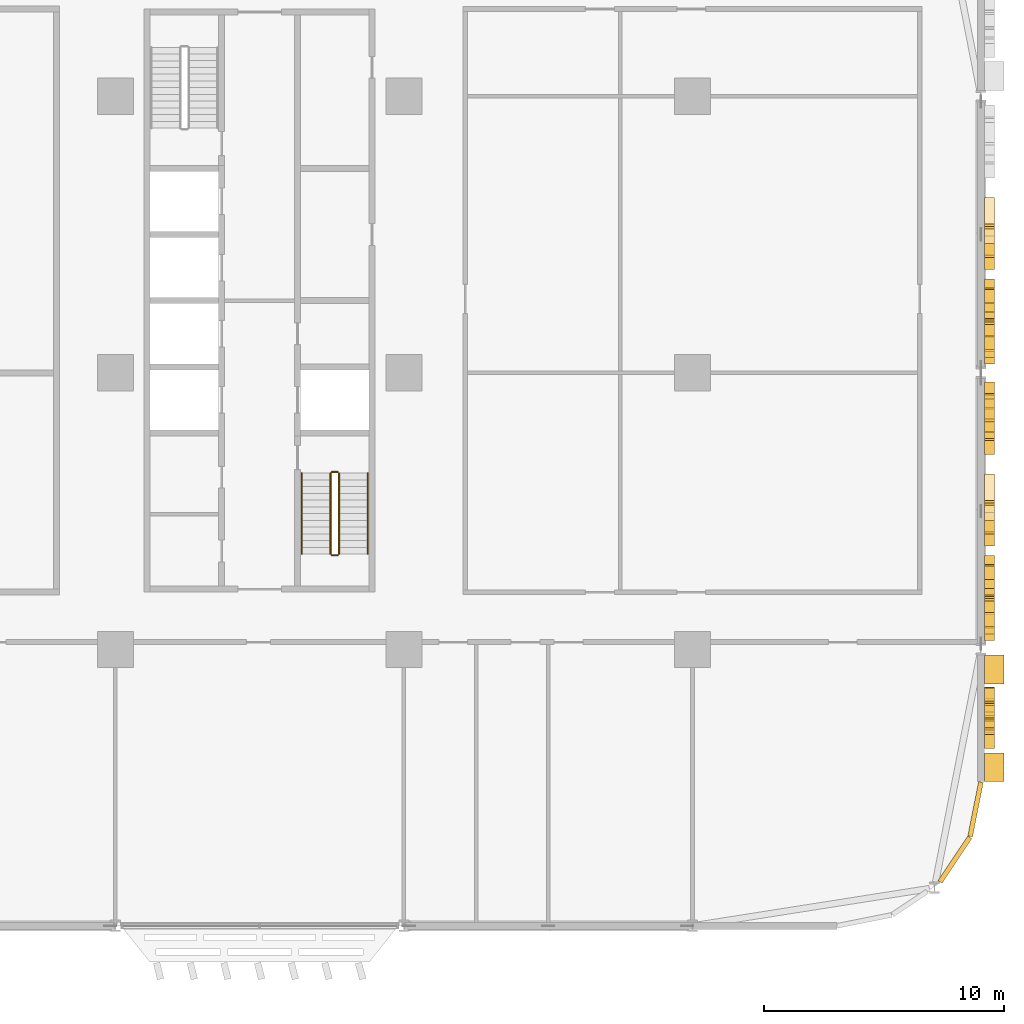
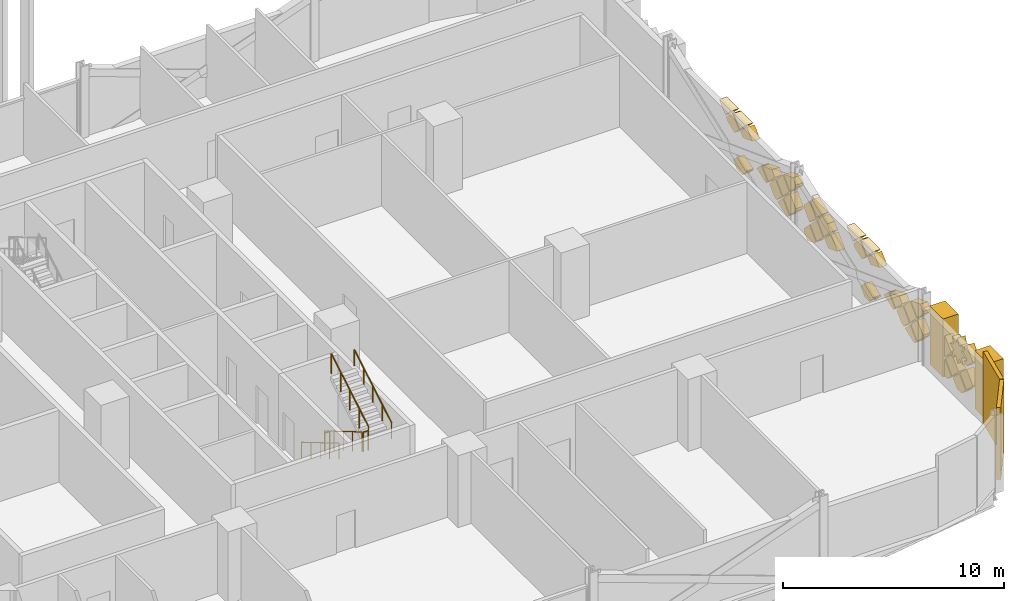
# One storey, part 28 of 29: 41 coverings, 6 railings.
"""IFC4 building model written with IfcOpenShell, lengths in metres."""

from ifc_helpers import new_model, si_unit, direction, frame, origin, origin_2d, place, context, subcontext, project, spatial, polyline, rectangle, circle, outline, extrude, material, layer, layer_set, type_object, element, save


model = new_model("IFC4")

# Units and contexts
model_context = context("Model", 3, precision=1e-05, world=origin(), true_north=direction((0.0, 1.0)))
body_context = subcontext(model_context, "Body", "Model", "MODEL_VIEW")
ifc_project = project(units=[si_unit("LENGTHUNIT", "METRE"), si_unit("AREAUNIT", "SQUARE_METRE"), si_unit("VOLUMEUNIT", "CUBIC_METRE"), si_unit("PLANEANGLEUNIT", "RADIAN"), si_unit("MASSUNIT", "GRAM", prefix="KILO")], contexts=[model_context])

# Site, building, storey
site_placement = place(None, origin())
site = spatial("IfcSite", under=ifc_project, at=site_placement, CompositionType="ELEMENT")
building_placement = place(site_placement, origin())
building = spatial("IfcBuilding", under=site, at=building_placement, Name="Mahtab Terrace Research Tower", CompositionType="ELEMENT")
storey_placement = place(building_placement, frame((0.0, 0.0, 63.199951171875)))
storey = spatial("IfcBuildingStorey", under=building, at=storey_placement, Name="L14", CompositionType="ELEMENT", Elevation=63.199951171875)

# Coverings
ifc_material_1 = material(Name="Black aluminium cladding panel", Category="aluminium")
ifc_layer_1 = layer(ifc_material_1, 0.199951171875)
ifc_layer_set_1 = layer_set([ifc_layer_1], Name="Black metal corner cladding 200")
covering_type_1 = type_object("IfcCoveringType", Name="Black metal corner cladding 200", PredefinedType="CLADDING", material=ifc_layer_set_1)
covering_1_placement = place(storey_placement, frame((52.911376953125, -20.2421875, 0.0), z_axis=(0.0, 0.0, 1.0), x_axis=(0.555291490808, 0.831655794326, 0.0)))
element("IfcCovering", 1, at=covering_1_placement, inside=storey, type_object=covering_type_1, Name="Corner cladding L14 33", PredefinedType="CLADDING", context=body_context, shape_type="SweptSolid", body=[
    extrude(rectangle(XDim=2.235595703125, YDim=0.199951171875, at=origin_2d()), origin(), (0.0, 0.0, 1.0), 3.9599609375),
])
covering_2_placement = place(storey_placement, frame((53.771484375, -18.14794921875, 0.0), z_axis=(0.0, 0.0, 1.0), x_axis=(0.195212442692, 0.980760981187, 0.0)))
element("IfcCovering", 2, at=covering_2_placement, inside=storey, type_object=covering_type_1, Name="Corner cladding L14 34", PredefinedType="CLADDING", context=body_context, shape_type="SweptSolid", body=[
    extrude(rectangle(XDim=2.30126953125, YDim=0.199951171875, at=origin_2d()), origin(), (0.0, 0.0, 1.0), 3.9599609375),
])
ifc_material_2 = material(Name="Bronze anodised aluminium", Category="aluminium")
ifc_layer_2 = layer(ifc_material_2, 0.39990234375)
ifc_layer_set_2 = layer_set([ifc_layer_2], Name="Mashrabiya relief panel 400")
covering_type_2 = type_object("IfcCoveringType", Name="Mashrabiya relief panel 400", PredefinedType="CLADDING", material=ifc_layer_set_2)
covering_3_placement = place(storey_placement, frame((54.14990234375, -14.10498046875, 2.60107421875), z_axis=(-1.0, 0.0, 0.0), x_axis=(0.0, 0.924784909208, 0.380490304346)))
element("IfcCovering", 3, at=covering_3_placement, inside=storey, type_object=covering_type_2, Name="Girih star panel L14 E35.1", PredefinedType="CLADDING", context=body_context, shape_type="SweptSolid", body=[
    extrude(outline(polyline([(0.0, 0.0), (0.3785719822676483, 0.0), (0.11215445471266995, 0.26895807623038387), (0.37961207055159285, 0.5358142483447127), (0.0017974035497291263, 0.5371818243111587), (0.0018902966904386642, 0.9155280290130825), (-0.2670677795399452, 0.6491105014581041), (-0.5340168447949836, 0.9167938948627515), (-0.53529152762072, 0.5387534502951633), (-0.9138635098883683, 0.5387534502951632), (-0.6475388754740995, 0.270021151630504), (-0.9149964913130224, 0.0031649795161750593), (-0.5371818243111587, 0.0017974035497291263), (-0.5371818243111587, -0.3767745787179192), (-0.2682237480807748, -0.11035705116294083), (-0.0013675759664459608, -0.3778146670018637), (0.0, 0.0)])), origin(), (0.0, 0.0, -1.0), 0.39990234375),
])
covering_4_placement = place(storey_placement, frame((54.14990234375, -15.050048828125, 1.72998046875), z_axis=(-1.0, 0.0, 0.0), x_axis=(0.0, 0.707255598772, -0.706957932274)))
element("IfcCovering", 4, at=covering_4_placement, inside=storey, type_object=covering_type_2, Name="Mashrabiya lattice cell L14 E35.2", PredefinedType="CLADDING", context=body_context, shape_type="SweptSolid", body=[
    extrude(outline(polyline([(0.0, 0.0), (0.8201817362875763, 0.0), (0.8200090664636573, 0.8203543334390104), (-0.00017259715143413956, 0.8200090664636573), (0.0, 0.0)])), origin(), (0.0, 0.0, -1.0), 0.39990234375),
])
covering_5_placement = place(storey_placement, frame((54.14990234375, -15.050048828125, 1.8701171875), z_axis=(-1.0, 0.0, 0.0), x_axis=(0.0, -0.707106781187, 0.707106781187)))
element("IfcCovering", 5, at=covering_5_placement, inside=storey, type_object=covering_type_2, Name="Mashrabiya lattice cell L14 E35.3", PredefinedType="CLADDING", context=body_context, shape_type="SweptSolid", body=[
    extrude(outline(polyline([(0.0, 0.0), (0.8200090846279543, 0.0), (0.820181718119455, 0.820181718119455), (0.5374080590414362, 0.820181718119455), (0.516001506095359, 0.760795797043241), (0.47646843654171667, 0.7212627274895986), (0.22977517718732787, 0.6157836641827186), (0.32731309988517926, 0.37703154543735834), (0.3229972625976637, 0.28916109826354175), (0.2743146179944883, 0.2277035752893204), (0.20008221664922088, 0.20422542044523578), (-0.00017263349150062335, 0.2743146179944883), (0.0, 0.0)])), origin(), (0.0, 0.0, -1.0), 0.39990234375),
])
covering_6_placement = place(storey_placement, frame((54.14990234375, -14.97998046875, 0.5), z_axis=(-1.0, 0.0, 0.0), x_axis=(0.0, 0.707106781187, 0.707106781187)))
element("IfcCovering", 6, at=covering_6_placement, inside=storey, type_object=covering_type_2, Name="Mashrabiya lattice cell L14 E35.4", PredefinedType="CLADDING", context=body_context, shape_type="SweptSolid", body=[
    extrude(outline(polyline([(0.0, 0.0), (0.8203543516109556, 0.0), (0.820181718119455, 0.820181718119455), (0.30400757853259525, 0.8201817181194548), (0.0, 0.5161741395868596), (0.0, 0.0)])), origin(), (0.0, 0.0, -1.0), 0.39990234375),
])
covering_7_placement = place(storey_placement, frame((54.14990234375, -13.169921875, 1.150146484375), z_axis=(-1.0, 0.0, 0.0), x_axis=(0.0, -0.707106781187, -0.707106781187)))
element("IfcCovering", 7, at=covering_7_placement, inside=storey, type_object=covering_type_2, Name="Mashrabiya lattice cell L14 E35.5", PredefinedType="CLADDING", context=body_context, shape_type="SweptSolid", body=[
    extrude(outline(polyline([(0.0, 0.0), (0.8203543516109556, 0.0), (0.8203543516109556, 0.8203543516109556), (0.12308767943994348, 0.820181718119455), (0.07992930656478797, 0.7445682488421825), (0.0, 0.7071067811865476), (0.0, 0.0)])), origin(), (0.0, 0.0, -1.0), 0.39990234375),
])
covering_8_placement = place(storey_placement, frame((54.14990234375, -13.679931640625, 0.5), z_axis=(-1.0, 0.0, 0.0), x_axis=(0.0, 0.706957932274, 0.707255598772)))
element("IfcCovering", 8, at=covering_8_placement, inside=storey, type_object=covering_type_2, Name="Mashrabiya lattice cell L14 E35.6", PredefinedType="CLADDING", context=body_context, shape_type="SweptSolid", body=[
    extrude(outline(polyline([(0.0, 0.0), (0.8201817362875763, 0.0), (0.8201736696417619, 0.03832463426419619), (0.17093513170644736, 0.6872899236566087), (-0.00010864536479748832, 0.5161741281529127), (0.0, 0.0)])), origin(), (0.0, 0.0, -1.0), 0.39990234375),
])
covering_9_placement = place(storey_placement, frame((54.14990234375, -13.10009765625, 1.219970703125), z_axis=(-1.0, 0.0, 0.0), x_axis=(0.0, -0.707106781187, 0.707106781187)))
element("IfcCovering", 9, at=covering_9_placement, inside=storey, type_object=covering_type_2, Name="Mashrabiya lattice cell L14 E35.7", PredefinedType="CLADDING", context=body_context, shape_type="SweptSolid", body=[
    extrude(outline(polyline([(0.0, 0.0), (0.7367997417246546, 0.0), (0.8203543516109556, 0.052480581416189054), (0.8203543516109556, 0.8203543516109556), (0.7820297164978175, 0.8203543516109556), (0.0, 0.03832463511313808), (0.0, 0.0)])), origin(), (0.0, 0.0, -1.0), 0.39990234375),
])
covering_10_placement = place(storey_placement, frame((54.14990234375, -10.612060546875, 1.72998046875), z_axis=(-1.0, 0.0, 0.0), x_axis=(0.0, 0.707255598772, -0.706957932274)))
element("IfcCovering", 10, at=covering_10_placement, inside=storey, type_object=covering_type_2, Name="Mashrabiya lattice cell L14 E36.1", PredefinedType="CLADDING", context=body_context, shape_type="SweptSolid", body=[
    extrude(outline(polyline([(0.0, 0.0), (0.8201817362875763, 0.0), (0.8200090664636573, 0.8203543334390104), (0.09184101544392964, 0.8202010671685369), (-0.0001532662704735177, 0.7281680510197277), (0.0, 0.0)])), origin(), (0.0, 0.0, -1.0), 0.39990234375),
])
covering_11_placement = place(storey_placement, frame((54.14990234375, -10.031982421875, 2.449951171875), z_axis=(-1.0, 0.0, 0.0), x_axis=(0.0, -0.707255598772, -0.706957932274)))
element("IfcCovering", 11, at=covering_11_placement, inside=storey, type_object=covering_type_2, Name="Mashrabiya lattice cell L14 E36.2", PredefinedType="CLADDING", context=body_context, shape_type="SweptSolid", body=[
    extrude(outline(polyline([(0.0, 0.0), (0.8201817362875763, 0.0), (0.8203350025580498, 0.7281680510197277), (0.7283407208436468, 0.8202010671685369), (0.36511986277216557, 0.8202775186225616), (0.0, 0.0)])), origin(), (0.0, 0.0, -1.0), 0.39990234375),
])
covering_12_placement = place(storey_placement, frame((54.14990234375, -10.5419921875, 0.5), z_axis=(-1.0, 0.0, 0.0), x_axis=(0.0, 0.707106781187, 0.707106781187)))
element("IfcCovering", 12, at=covering_12_placement, inside=storey, type_object=covering_type_2, Name="Mashrabiya lattice cell L14 E36.3", PredefinedType="CLADDING", context=body_context, shape_type="SweptSolid", body=[
    extrude(outline(polyline([(0.0, 0.0), (0.8203543516109556, 0.0), (0.8203543516109556, 0.6674010781414045), (0.0, 0.29416746951705985), (0.0, 0.0)])), origin(), (0.0, 0.0, -1.0), 0.39990234375),
])
covering_13_placement = place(storey_placement, frame((54.14990234375, -9.9619140625, 2.380126953125), z_axis=(-1.0, 0.0, 0.0), x_axis=(0.0, 0.706957932274, -0.707255598772)))
element("IfcCovering", 13, at=covering_13_placement, inside=storey, type_object=covering_type_2, Name="Mashrabiya lattice cell L14 E36.4", PredefinedType="CLADDING", context=body_context, shape_type="SweptSolid", body=[
    extrude(outline(polyline([(0.0, 0.0), (0.8201817362875763, 0.0), (0.8205270032629295, 0.8201816636150915), (0.00017266982391900276, 0.8203543334390104), (0.0, 0.0)])), origin(), (0.0, 0.0, -1.0), 0.39990234375),
])
covering_14_placement = place(storey_placement, frame((54.14990234375, -9.89208984375, 1.150146484375), z_axis=(-1.0, 0.0, 0.0), x_axis=(0.0, 0.707255598772, 0.706957932274)))
element("IfcCovering", 14, at=covering_14_placement, inside=storey, type_object=covering_type_2, Name="Mashrabiya lattice cell L14 E36.5", PredefinedType="CLADDING", context=body_context, shape_type="SweptSolid", body=[
    extrude(outline(polyline([(0.0, 0.0), (0.8201817362875763, 0.0), (0.8205270032629295, 0.8201816636150915), (0.23633528096545225, 0.8203046254593975), (0.0001500686811417018, 0.7129763041041906), (0.0, 0.0)])), origin(), (0.0, 0.0, -1.0), 0.39990234375),
])
covering_15_placement = place(storey_placement, frame((54.14990234375, -8.662109375, 1.219970703125), z_axis=(-1.0, 0.0, 0.0), x_axis=(0.0, -0.706957932274, 0.707255598772)))
element("IfcCovering", 15, at=covering_15_placement, inside=storey, type_object=covering_type_2, Name="Mashrabiya lattice cell L14 E36.6", PredefinedType="CLADDING", context=body_context, shape_type="SweptSolid", body=[
    extrude(outline(polyline([(0.0, 0.0), (0.8201817362875763, 0.0), (0.8202602952436606, 0.3732336003567215), (0.00015719058465352154, 0.7468124676887962), (0.0, 0.0)])), origin(), (0.0, 0.0, -1.0), 0.39990234375),
])
covering_16_placement = place(storey_placement, frame((54.14990234375, -8.592041015625, 1.150146484375), z_axis=(-1.0, 0.0, 0.0), x_axis=(0.0, 0.707260918899, 0.706952609867)))
element("IfcCovering", 16, at=covering_16_placement, inside=storey, type_object=covering_type_2, Name="Mashrabiya lattice cell L14 E36.7", PredefinedType="CLADDING", context=body_context, shape_type="SweptSolid", body=[
    extrude(outline(polyline([(0.0, 0.0), (0.7918698443310431, 0.0), (0.8201952850011003, 0.06214188326106501), (0.8203096965558616, 0.5869476849516725), (4.629151722254643e-05, 0.21233918949981814), (0.0, 0.0)])), origin(), (0.0, 0.0, -1.0), 0.39990234375),
])
covering_17_placement = place(storey_placement, frame((54.14990234375, -6.7119140625, 3.030029296875), z_axis=(-1.0, 0.0, 0.0), x_axis=(0.0, 0.706957932274, -0.707255598772)))
element("IfcCovering", 17, at=covering_17_placement, inside=storey, type_object=covering_type_2, Name="Mashrabiya lattice cell L14 E36.8", PredefinedType="CLADDING", context=body_context, shape_type="SweptSolid", body=[
    extrude(outline(polyline([(0.0, 0.0), (0.8201817362875763, 0.0), (0.8202469235064548, 0.3097044768917476), (-2.885097647126189e-05, 0.6831107470723881), (0.0, 0.0)])), origin(), (0.0, 0.0, -1.0), 0.39990234375),
])
covering_18_placement = place(storey_placement, frame((54.14990234375, -6.64208984375, 0.5), z_axis=(-1.0, 0.0, 0.0), x_axis=(0.0, 0.707106781187, 0.707106781187)))
element("IfcCovering", 18, at=covering_18_placement, inside=storey, type_object=covering_type_2, Name="Mashrabiya lattice cell L14 E36.9", PredefinedType="CLADDING", context=body_context, shape_type="SweptSolid", body=[
    extrude(outline(polyline([(0.0, 0.0), (0.052480581416189075, 0.0), (0.8203543516109556, 0.3494101867972589), (0.8203543516109556, 0.8203543516109556), (0.3041802120240959, 0.8203543516109555), (0.0, 0.5161741395868596), (0.0, 0.0)])), origin(), (0.0, 0.0, -1.0), 0.39990234375),
])
covering_19_placement = place(storey_placement, frame((54.14990234375, -6.06201171875, 2.52001953125), z_axis=(-1.0, 0.0, 0.0), x_axis=(0.0, -0.707106781187, 0.707106781187)))
element("IfcCovering", 19, at=covering_19_placement, inside=storey, type_object=covering_type_2, Name="Mashrabiya lattice cell L14 E36.10", PredefinedType="CLADDING", context=body_context, shape_type="SweptSolid", body=[
    extrude(outline(polyline([(0.0, 0.0), (0.7751243768377927, 0.0), (0.0, 0.7751243768377927), (0.0, 0.0)])), origin(), (0.0, 0.0, -1.0), 0.39990234375),
])
covering_20_placement = place(storey_placement, frame((54.14990234375, -5.991943359375, 2.449951171875), z_axis=(-1.0, 0.0, 0.0), x_axis=(0.0, 0.706957932274, 0.707255598772)))
element("IfcCovering", 20, at=covering_20_placement, inside=storey, type_object=covering_type_2, Name="Mashrabiya lattice cell L14 E36.11", PredefinedType="CLADDING", context=body_context, shape_type="SweptSolid", body=[
    extrude(outline(polyline([(0.0, 0.0), (0.8201817362875763, 0.0), (0.8200090664636573, 0.8203543334390104), (0.592478129705952, 0.8203064422715177), (-0.00011576726830930806, 0.5500102917375184), (0.0, 0.0)])), origin(), (0.0, 0.0, -1.0), 0.39990234375),
])
covering_21_placement = place(storey_placement, frame((54.14990234375, -4.761962890625, 2.52001953125), z_axis=(-1.0, 0.0, 0.0), x_axis=(0.0, -0.707106781187, 0.707106781187)))
element("IfcCovering", 21, at=covering_21_placement, inside=storey, type_object=covering_type_2, Name="Mashrabiya lattice cell L14 E36.12", PredefinedType="CLADDING", context=body_context, shape_type="SweptSolid", body=[
    extrude(outline(polyline([(0.0, 0.0), (0.7751243768377927, 0.0), (0.0001726334915006511, 0.774951743346292), (0.0, 0.0)])), origin(), (0.0, 0.0, -1.0), 0.39990234375),
])
covering_22_placement = place(storey_placement, frame((54.14990234375, -3.39208984375, 1.150146484375), z_axis=(-1.0, 0.0, 0.0), x_axis=(0.0, 0.707255598772, 0.706957932274)))
element("IfcCovering", 22, at=covering_22_placement, inside=storey, type_object=covering_type_2, Name="Mashrabiya lattice cell L14 E36.13", PredefinedType="CLADDING", context=body_context, shape_type="SweptSolid", body=[
    extrude(outline(polyline([(0.0, 0.0), (0.8201817362875763, 0.0), (0.8205270032629295, 0.8201816636150915), (0.3482017809798629, 0.8202810795743176), (1.2208977448815994e-05, 0.05800485185932397), (0.0, 0.0)])), origin(), (0.0, 0.0, -1.0), 0.39990234375),
])
covering_23_placement = place(storey_placement, frame((54.14990234375, -1.58203125, 1.800048828125), z_axis=(-1.0, 0.0, 0.0), x_axis=(0.0, -0.707106781187, -0.707106781187)))
element("IfcCovering", 23, at=covering_23_placement, inside=storey, type_object=covering_type_2, Name="Mashrabiya lattice cell L14 E36.14", PredefinedType="CLADDING", context=body_context, shape_type="SweptSolid", body=[
    extrude(outline(polyline([(0.0, 0.0), (0.8203543516109556, 0.0), (0.820181718119455, 0.820181718119455), (0.4100045423139772, 0.820181718119455), (0.0, 0.6335649138072826), (0.0, 0.0)])), origin(), (0.0, 0.0, -1.0), 0.39990234375),
])
covering_24_placement = place(storey_placement, frame((54.14990234375, -1.511962890625, 1.72998046875), z_axis=(-1.0, 0.0, 0.0), x_axis=(0.0, 0.707255598772, -0.706957932274)))
element("IfcCovering", 24, at=covering_24_placement, inside=storey, type_object=covering_type_2, Name="Mashrabiya lattice cell L14 E36.15", PredefinedType="CLADDING", context=body_context, shape_type="SweptSolid", body=[
    extrude(outline(polyline([(0.0, 0.0), (0.8201817362875763, 0.0), (0.8200090664636573, 0.8203543334390104), (-0.0003452669753531423, 0.8201816636150915), (0.0, 0.0)])), origin(), (0.0, 0.0, -1.0), 0.39990234375),
])
covering_25_placement = place(storey_placement, frame((54.14990234375, -0.931884765625, 2.449951171875), z_axis=(-1.0, 0.0, 0.0), x_axis=(0.0, -0.707255598772, -0.706957932274)))
element("IfcCovering", 25, at=covering_25_placement, inside=storey, type_object=covering_type_2, Name="Mashrabiya lattice cell L14 E36.16", PredefinedType="CLADDING", context=body_context, shape_type="SweptSolid", body=[
    extrude(outline(polyline([(0.0, 0.0), (0.8201817362875763, 0.0), (0.8203055702017, 0.5883349260017146), (4.5274958039367985e-05, 0.21510132564499307), (0.0, 0.0)])), origin(), (0.0, 0.0, -1.0), 0.39990234375),
])
covering_26_placement = place(storey_placement, frame((54.14990234375, -1.44189453125, 0.5), z_axis=(-1.0, 0.0, 0.0), x_axis=(0.0, 0.706957932274, 0.707255598772)))
element("IfcCovering", 26, at=covering_26_placement, inside=storey, type_object=covering_type_2, Name="Mashrabiya lattice cell L14 E36.17", PredefinedType="CLADDING", context=body_context, shape_type="SweptSolid", body=[
    extrude(outline(polyline([(0.0, 0.0), (0.8201817362875763, 0.0), (0.820036173300493, 0.6915697516322971), (0.691224484656944, 0.8203272266021747), (0.3038349383107446, 0.8202456880742129), (0.23376049482847877, 0.7501417395631125), (-4.970797961303952e-05, 0.2361626111415333), (0.0, 0.0)])), origin(), (0.0, 0.0, -1.0), 0.39990234375),
])
covering_27_placement = place(storey_placement, frame((54.14990234375, -0.862060546875, 1.219970703125), z_axis=(-1.0, 0.0, 0.0), x_axis=(0.0, -0.706957932274, 0.707255598772)))
element("IfcCovering", 27, at=covering_27_placement, inside=storey, type_object=covering_type_2, Name="Mashrabiya lattice cell L14 E36.18", PredefinedType="CLADDING", context=body_context, shape_type="SweptSolid", body=[
    extrude(outline(polyline([(0.0, 0.0), (0.8201817362875763, 0.0), (0.8205270032629295, 0.8201816636150915), (0.12895725163063232, 0.8203272266021746), (0.00014556298708318094, 0.6915697516322972), (0.0, 0.0)])), origin(), (0.0, 0.0, -1.0), 0.39990234375),
])
covering_28_placement = place(storey_placement, frame((54.14990234375, 0.887939453125, 1.72998046875), z_axis=(-1.0, 0.0, 0.0), x_axis=(0.0, 0.707255598772, -0.706957932274)))
element("IfcCovering", 28, at=covering_28_placement, inside=storey, type_object=covering_type_2, Name="Mashrabiya lattice cell L14 E37.1", PredefinedType="CLADDING", context=body_context, shape_type="SweptSolid", body=[
    extrude(outline(polyline([(0.0, 0.0), (0.8201817362875763, 0.0), (0.8200090664636573, 0.8203543334390104), (0.09184101544392964, 0.8202010671685369), (-0.0001532662704735177, 0.7281680510197277), (0.0, 0.0)])), origin(), (0.0, 0.0, -1.0), 0.39990234375),
])
covering_29_placement = place(storey_placement, frame((54.14990234375, 1.468017578125, 2.449951171875), z_axis=(-1.0, 0.0, 0.0), x_axis=(0.0, -0.707255598772, -0.706957932274)))
element("IfcCovering", 29, at=covering_29_placement, inside=storey, type_object=covering_type_2, Name="Mashrabiya lattice cell L14 E37.2", PredefinedType="CLADDING", context=body_context, shape_type="SweptSolid", body=[
    extrude(outline(polyline([(0.0, 0.0), (0.8201817362875763, 0.0), (0.8203350025580498, 0.7281680510197277), (0.7283407208436468, 0.8202010671685369), (0.36511986277216557, 0.8202775186225616), (0.0, 0.0)])), origin(), (0.0, 0.0, -1.0), 0.39990234375),
])
covering_30_placement = place(storey_placement, frame((54.14990234375, 0.9580078125, 0.5), z_axis=(-1.0, 0.0, 0.0), x_axis=(0.0, 0.707106781187, 0.707106781187)))
element("IfcCovering", 30, at=covering_30_placement, inside=storey, type_object=covering_type_2, Name="Mashrabiya lattice cell L14 E37.3", PredefinedType="CLADDING", context=body_context, shape_type="SweptSolid", body=[
    extrude(outline(polyline([(0.0, 0.0), (0.8203543516109556, 0.0), (0.8203543516109556, 0.6674010781414045), (0.0, 0.29416746951705985), (0.0, 0.0)])), origin(), (0.0, 0.0, -1.0), 0.39990234375),
])
covering_31_placement = place(storey_placement, frame((54.14990234375, 1.5380859375, 2.380126953125), z_axis=(-1.0, 0.0, 0.0), x_axis=(0.0, 0.706957932274, -0.707255598772)))
element("IfcCovering", 31, at=covering_31_placement, inside=storey, type_object=covering_type_2, Name="Mashrabiya lattice cell L14 E37.4", PredefinedType="CLADDING", context=body_context, shape_type="SweptSolid", body=[
    extrude(outline(polyline([(0.0, 0.0), (0.8201817362875763, 0.0), (0.8205270032629295, 0.8201816636150915), (0.00017266982391900276, 0.8203543334390104), (0.0, 0.0)])), origin(), (0.0, 0.0, -1.0), 0.39990234375),
])
covering_32_placement = place(storey_placement, frame((54.14990234375, 1.60791015625, 1.150146484375), z_axis=(-1.0, 0.0, 0.0), x_axis=(0.0, 0.707255598772, 0.706957932274)))
element("IfcCovering", 32, at=covering_32_placement, inside=storey, type_object=covering_type_2, Name="Mashrabiya lattice cell L14 E37.5", PredefinedType="CLADDING", context=body_context, shape_type="SweptSolid", body=[
    extrude(outline(polyline([(0.0, 0.0), (0.8201817362875763, 0.0), (0.8205270032629295, 0.8201816636150915), (0.23633528096545225, 0.8203046254593975), (0.0001500686811417018, 0.7129763041041906), (0.0, 0.0)])), origin(), (0.0, 0.0, -1.0), 0.39990234375),
])
covering_33_placement = place(storey_placement, frame((54.14990234375, 2.837890625, 1.219970703125), z_axis=(-1.0, 0.0, 0.0), x_axis=(0.0, -0.706957932274, 0.707255598772)))
element("IfcCovering", 33, at=covering_33_placement, inside=storey, type_object=covering_type_2, Name="Mashrabiya lattice cell L14 E37.6", PredefinedType="CLADDING", context=body_context, shape_type="SweptSolid", body=[
    extrude(outline(polyline([(0.0, 0.0), (0.8201817362875763, 0.0), (0.8202602952436606, 0.3732336003567215), (0.00015719058465352154, 0.7468124676887962), (0.0, 0.0)])), origin(), (0.0, 0.0, -1.0), 0.39990234375),
])
covering_34_placement = place(storey_placement, frame((54.14990234375, 2.907958984375, 1.150146484375), z_axis=(-1.0, 0.0, 0.0), x_axis=(0.0, 0.707260918899, 0.706952609867)))
element("IfcCovering", 34, at=covering_34_placement, inside=storey, type_object=covering_type_2, Name="Mashrabiya lattice cell L14 E37.7", PredefinedType="CLADDING", context=body_context, shape_type="SweptSolid", body=[
    extrude(outline(polyline([(0.0, 0.0), (0.7918698443310431, 0.0), (0.8201952850011003, 0.06214188326106501), (0.8203096965558616, 0.5869476849516725), (4.629151722254643e-05, 0.21233918949981814), (0.0, 0.0)])), origin(), (0.0, 0.0, -1.0), 0.39990234375),
])
covering_35_placement = place(storey_placement, frame((54.14990234375, 4.7880859375, 3.030029296875), z_axis=(-1.0, 0.0, 0.0), x_axis=(0.0, 0.706957932274, -0.707255598772)))
element("IfcCovering", 35, at=covering_35_placement, inside=storey, type_object=covering_type_2, Name="Mashrabiya lattice cell L14 E37.8", PredefinedType="CLADDING", context=body_context, shape_type="SweptSolid", body=[
    extrude(outline(polyline([(0.0, 0.0), (0.8201817362875763, 0.0), (0.8202469235064548, 0.3097044768917476), (-2.885097647126189e-05, 0.6831107470723881), (0.0, 0.0)])), origin(), (0.0, 0.0, -1.0), 0.39990234375),
])
covering_36_placement = place(storey_placement, frame((54.14990234375, 4.85791015625, 0.5), z_axis=(-1.0, 0.0, 0.0), x_axis=(0.0, 0.707106781187, 0.707106781187)))
element("IfcCovering", 36, at=covering_36_placement, inside=storey, type_object=covering_type_2, Name="Mashrabiya lattice cell L14 E37.9", PredefinedType="CLADDING", context=body_context, shape_type="SweptSolid", body=[
    extrude(outline(polyline([(0.0, 0.0), (0.052480581416189075, 0.0), (0.8203543516109556, 0.3494101867972589), (0.8203543516109556, 0.8203543516109556), (0.3041802120240959, 0.8203543516109555), (0.0, 0.5161741395868596), (0.0, 0.0)])), origin(), (0.0, 0.0, -1.0), 0.39990234375),
])
covering_37_placement = place(storey_placement, frame((54.14990234375, 5.43798828125, 2.52001953125), z_axis=(-1.0, 0.0, 0.0), x_axis=(0.0, -0.707106781187, 0.707106781187)))
element("IfcCovering", 37, at=covering_37_placement, inside=storey, type_object=covering_type_2, Name="Mashrabiya lattice cell L14 E37.10", PredefinedType="CLADDING", context=body_context, shape_type="SweptSolid", body=[
    extrude(outline(polyline([(0.0, 0.0), (0.7751243768377927, 0.0), (0.0, 0.7751243768377927), (0.0, 0.0)])), origin(), (0.0, 0.0, -1.0), 0.39990234375),
])
covering_38_placement = place(storey_placement, frame((54.14990234375, 5.508056640625, 2.449951171875), z_axis=(-1.0, 0.0, 0.0), x_axis=(0.0, 0.706957932274, 0.707255598772)))
element("IfcCovering", 38, at=covering_38_placement, inside=storey, type_object=covering_type_2, Name="Mashrabiya lattice cell L14 E37.11", PredefinedType="CLADDING", context=body_context, shape_type="SweptSolid", body=[
    extrude(outline(polyline([(0.0, 0.0), (0.8201817362875763, 0.0), (0.8200090664636573, 0.8203543334390104), (0.592478129705952, 0.8203064422715177), (-0.00011576726830930806, 0.5500102917375184), (0.0, 0.0)])), origin(), (0.0, 0.0, -1.0), 0.39990234375),
])
covering_39_placement = place(storey_placement, frame((54.14990234375, 6.738037109375, 2.52001953125), z_axis=(-1.0, 0.0, 0.0), x_axis=(0.0, -0.707106781187, 0.707106781187)))
element("IfcCovering", 39, at=covering_39_placement, inside=storey, type_object=covering_type_2, Name="Mashrabiya lattice cell L14 E37.12", PredefinedType="CLADDING", context=body_context, shape_type="SweptSolid", body=[
    extrude(outline(polyline([(0.0, 0.0), (0.7751243768377927, 0.0), (0.0001726334915006511, 0.774951743346292), (0.0, 0.0)])), origin(), (0.0, 0.0, -1.0), 0.39990234375),
])
ifc_material_3 = material(Name="Glazed ceramic tile cladding", Category="masonry")
ifc_layer_3 = layer(ifc_material_3, 0.800048828125)
ifc_layer_set_3 = layer_set([ifc_layer_3], Name="Pishtaq frame pier 800")
covering_type_3 = type_object("IfcCoveringType", Name="Pishtaq frame pier 800", PredefinedType="CLADDING", material=ifc_layer_set_3)
for number, where, z_axis, x_axis, name in (
    (40, (54.550048828125, -16.39990234375, 0.00048828125), (0.0, 0.0, 1.0), (0.0, 1.0, 0.0), "Pishtaq frame pier 35a"),
    (41, (54.550048828125, -12.337890625, 0.00048828125), (0.0, 0.0, 1.0), (0.0, 1.0, 0.0), "Pishtaq frame pier 35b"),
):
    element("IfcCovering", number, at=place(storey_placement, frame(where, z_axis=z_axis, x_axis=x_axis)), inside=storey, type_object=covering_type_3, Name=name, PredefinedType="CLADDING", context=body_context, shape_type="SweptSolid", body=[
        extrude(rectangle(XDim=1.199951171875, YDim=0.800048828125, at=origin_2d()), origin(), (0.0, 0.0, 1.0), 3.202880859375),
    ])

# Railings
ifc_material_4 = material(Name="Stainless steel AISI 304", Category="steel")
railing_type_1 = type_object("IfcRailingType", Name="Stair guard 1100", PredefinedType="GUARDRAIL", material=ifc_material_4)
railing_1_placement = place(storey_placement, frame((26.949951171875, -4.175048828125, 0.16552734375)))
element("IfcRailing", 42, at=railing_1_placement, inside=storey, type_object=railing_type_1, Name="L14 ST4 stair guard 1", PredefinedType="GUARDRAIL", context=body_context, shape_type="SweptSolid", body=[
    extrude(circle(Radius=0.02392578125, at=origin_2d()), frame((0.0, 0.0, 1.076171875), z_axis=(0.0, -0.861011212953, 0.508585972249), x_axis=(1.0, 0.0, 0.0)), (0.0, 0.0, 1.0), 3.90234375),
    extrude(circle(Radius=0.02099609375, at=origin_2d()), origin(), (0.0, 0.0, 1.0), 1.052001953125),
    extrude(circle(Radius=0.02099609375, at=origin_2d()), frame((0.0, -0.83984375, 0.49609375)), (0.0, 0.0, 1.0), 1.052001953125),
    extrude(circle(Radius=0.02099609375, at=origin_2d()), frame((0.0, -1.679931640625, 0.9921875)), (0.0, 0.0, 1.0), 1.052001953125),
    extrude(circle(Radius=0.02099609375, at=origin_2d()), frame((0.0, -2.52001953125, 1.488525390625)), (0.0, 0.0, 1.0), 1.052001953125),
    extrude(circle(Radius=0.02099609375, at=origin_2d()), frame((0.0, -3.35986328125, 1.984619140625)), (0.0, 0.0, 1.0), 1.052001953125),
])
railing_2_placement = place(storey_placement, frame((27.0, -7.5849609375, 2.150146484375)))
element("IfcRailing", 43, at=railing_2_placement, inside=storey, type_object=railing_type_1, Name="L14 ST4 stair guard 2", PredefinedType="GUARDRAIL", context=body_context, shape_type="SweptSolid", body=[
    extrude(circle(Radius=0.02392578125, at=origin_2d()), frame((0.0, 0.0, 1.076171875), z_axis=(1.0, 0.0, 0.0), x_axis=(0.0, 1.0, 0.0)), (0.0, 0.0, 1.0), 0.25),
    extrude(circle(Radius=0.02099609375, at=origin_2d()), origin(), (0.0, 0.0, 1.0), 1.052001953125),
    extrude(circle(Radius=0.02099609375, at=origin_2d()), frame((0.25, 0.0, 0.0)), (0.0, 0.0, 1.0), 1.052001953125),
])
railing_3_placement = place(storey_placement, frame((27.300048828125, -7.534912109375, 2.3154296875)))
element("IfcRailing", 44, at=railing_3_placement, inside=storey, type_object=railing_type_1, Name="L14 ST4 stair guard 3", PredefinedType="GUARDRAIL", context=body_context, shape_type="SweptSolid", body=[
    extrude(circle(Radius=0.02392578125, at=origin_2d()), frame((0.0, 0.0, 1.076171875), z_axis=(0.0, 0.861011212953, 0.508585972249), x_axis=(-1.0, 0.0, 0.0)), (0.0, 0.0, 1.0), 3.90234375),
    extrude(circle(Radius=0.02099609375, at=origin_2d()), origin(), (0.0, 0.0, 1.0), 1.052001953125),
    extrude(circle(Radius=0.02099609375, at=origin_2d()), frame((0.0, 0.83984375, 0.49609375)), (0.0, 0.0, 1.0), 1.052001953125),
    extrude(circle(Radius=0.02099609375, at=origin_2d()), frame((0.0, 1.679931640625, 0.9921875)), (0.0, 0.0, 1.0), 1.052001953125),
    extrude(circle(Radius=0.02099609375, at=origin_2d()), frame((0.0, 2.52001953125, 1.488525390625)), (0.0, 0.0, 1.0), 1.052001953125),
    extrude(circle(Radius=0.02099609375, at=origin_2d()), frame((0.0, 3.35986328125, 1.984619140625)), (0.0, 0.0, 1.0), 1.052001953125),
])
railing_4_placement = place(storey_placement, frame((27.0, -4.125, 0.0)))
element("IfcRailing", 45, at=railing_4_placement, inside=storey, type_object=railing_type_1, Name="L14 ST4 stair guard 4", PredefinedType="GUARDRAIL", context=body_context, shape_type="SweptSolid", body=[
    extrude(circle(Radius=0.02392578125, at=origin_2d()), frame((0.0, 0.0, 1.076171875), z_axis=(1.0, 0.0, 0.0), x_axis=(0.0, 1.0, 0.0)), (0.0, 0.0, 1.0), 0.25),
    extrude(circle(Radius=0.02099609375, at=origin_2d()), origin(), (0.0, 0.0, 1.0), 1.052001953125),
    extrude(circle(Radius=0.02099609375, at=origin_2d()), frame((0.25, 0.0, 0.0)), (0.0, 0.0, 1.0), 1.052001953125),
])
railing_type_2 = type_object("IfcRailingType", Name="Stair handrail 900", PredefinedType="HANDRAIL", material=ifc_material_4)
railing_5_placement = place(storey_placement, frame((25.75, -4.175048828125, 0.16552734375)))
element("IfcRailing", 46, at=railing_5_placement, inside=storey, type_object=railing_type_2, Name="L14 ST4 stair handrail 1", PredefinedType="HANDRAIL", context=body_context, shape_type="SweptSolid", body=[
    extrude(circle(Radius=0.02392578125, at=origin_2d()), frame((0.0, 0.0, 0.8759765625), z_axis=(0.0, -0.861011212953, 0.508585972249), x_axis=(1.0, 0.0, 0.0)), (0.0, 0.0, 1.0), 3.90234375),
    extrude(circle(Radius=0.02099609375, at=origin_2d()), origin(), (0.0, 0.0, 1.0), 0.851806640625),
    extrude(circle(Radius=0.02099609375, at=origin_2d()), frame((0.0, -0.83984375, 0.49609375)), (0.0, 0.0, 1.0), 0.851806640625),
    extrude(circle(Radius=0.02099609375, at=origin_2d()), frame((0.0, -1.679931640625, 0.9921875)), (0.0, 0.0, 1.0), 0.851806640625),
    extrude(circle(Radius=0.02099609375, at=origin_2d()), frame((0.0, -2.52001953125, 1.488525390625)), (0.0, 0.0, 1.0), 0.851806640625),
    extrude(circle(Radius=0.02099609375, at=origin_2d()), frame((0.0, -3.35986328125, 1.984619140625)), (0.0, 0.0, 1.0), 0.851806640625),
])
railing_6_placement = place(storey_placement, frame((28.5, -7.534912109375, 2.3154296875)))
element("IfcRailing", 47, at=railing_6_placement, inside=storey, type_object=railing_type_2, Name="L14 ST4 stair handrail 2", PredefinedType="HANDRAIL", context=body_context, shape_type="SweptSolid", body=[
    extrude(circle(Radius=0.02392578125, at=origin_2d()), frame((0.0, 0.0, 0.8759765625), z_axis=(0.0, 0.861011212953, 0.508585972249), x_axis=(-1.0, 0.0, 0.0)), (0.0, 0.0, 1.0), 3.90234375),
    extrude(circle(Radius=0.02099609375, at=origin_2d()), origin(), (0.0, 0.0, 1.0), 0.851806640625),
    extrude(circle(Radius=0.02099609375, at=origin_2d()), frame((0.0, 0.83984375, 0.49609375)), (0.0, 0.0, 1.0), 0.851806640625),
    extrude(circle(Radius=0.02099609375, at=origin_2d()), frame((0.0, 1.679931640625, 0.9921875)), (0.0, 0.0, 1.0), 0.851806640625),
    extrude(circle(Radius=0.02099609375, at=origin_2d()), frame((0.0, 2.52001953125, 1.488525390625)), (0.0, 0.0, 1.0), 0.851806640625),
    extrude(circle(Radius=0.02099609375, at=origin_2d()), frame((0.0, 3.35986328125, 1.984619140625)), (0.0, 0.0, 1.0), 0.851806640625),
])

save(model, "model.ifc")
